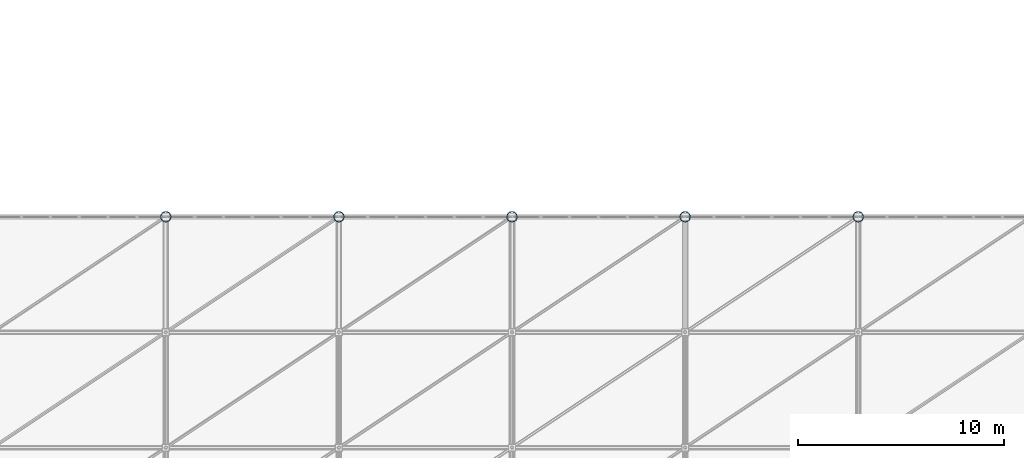
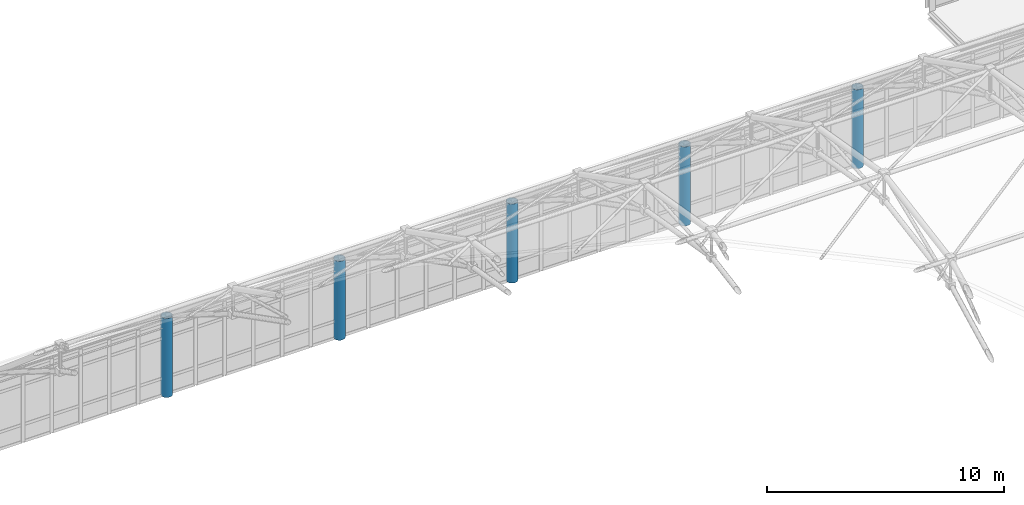
# One storey, part 7 of 184: 5 columns.
"""IFC4 building model written with IfcOpenShell, lengths in metres."""

from ifc_helpers import new_model, si_unit, direction, frame, origin, origin_2d, place, context, subcontext, project, spatial, hollow_circle, extrude, material, material_profile, profile_set, type_object, element, save


model = new_model("IFC4")

# Units and contexts
model_context = context("Model", 3, precision=1e-05, world=origin(), true_north=direction((0.0, 1.0)))
body_context = subcontext(model_context, "Body", "Model", "MODEL_VIEW")
ifc_project = project(units=[si_unit("LENGTHUNIT", "METRE"), si_unit("AREAUNIT", "SQUARE_METRE"), si_unit("VOLUMEUNIT", "CUBIC_METRE"), si_unit("PLANEANGLEUNIT", "RADIAN"), si_unit("MASSUNIT", "GRAM", prefix="KILO")], contexts=[model_context])

# Site, building, storey
site_placement = place(None, origin())
site = spatial("IfcSite", under=ifc_project, at=site_placement, CompositionType="ELEMENT")
building_placement = place(site_placement, origin())
building = spatial("IfcBuilding", under=site, at=building_placement, Name="Qalvenar Corner Mobility Hub", CompositionType="ELEMENT")
storey_placement = place(building_placement, frame((0.0, 0.0, 9.0)))
storey = spatial("IfcBuildingStorey", under=building, at=storey_placement, Name="L02", CompositionType="ELEMENT", Elevation=9.0)

# Columns
ifc_material = material(Name="Steel S355", Category="steel")
ifc_material_profile = material_profile(ifc_material, hollow_circle(Radius=0.25390625, WallThickness=0.01611328125, at=origin_2d()), Name="CHS508x16")
ifc_profile_set = profile_set([ifc_material_profile], Name="Steel S355")
column_type = type_object("IfcColumnType", Name="COL-CHS508", PredefinedType="COLUMN", material=ifc_profile_set)
for number, where, z_axis, x_axis, name in (
    (1, (67.199951171875, 33.60009765625, 0.0), (0.0, 0.0, 1.0), (1.0, 0.0, 0.0), "Steel Column L02-G9-4"),
    (2, (75.60009765625, 33.60009765625, 0.0), (0.0, 0.0, 1.0), (1.0, 0.0, 0.0), "Steel Column L02-G10-4"),
    (3, (84.0, 33.60009765625, 0.0), (0.0, 0.0, 1.0), (1.0, 0.0, 0.0), "Steel Column L02-G11-4"),
    (4, (92.39990234375, 33.60009765625, 0.0), (0.0, 0.0, 1.0), (1.0, 0.0, 0.0), "Steel Column L02-G12-4"),
    (5, (100.800048828125, 33.60009765625, 0.0), (0.0, 0.0, 1.0), (1.0, 0.0, 0.0), "Steel Column L02-G13-4"),
):
    element("IfcColumn", number, at=place(storey_placement, frame(where, z_axis=z_axis, x_axis=x_axis)), inside=storey, type_object=column_type, Name=name, PredefinedType="COLUMN", context=body_context, shape_type="SweptSolid", body=[
        extrude(hollow_circle(Radius=0.25390625, WallThickness=0.01611328125, at=origin_2d()), origin(), (0.0, 0.0, 1.0), 4.06005859375),
    ])

save(model, "model.ifc")
